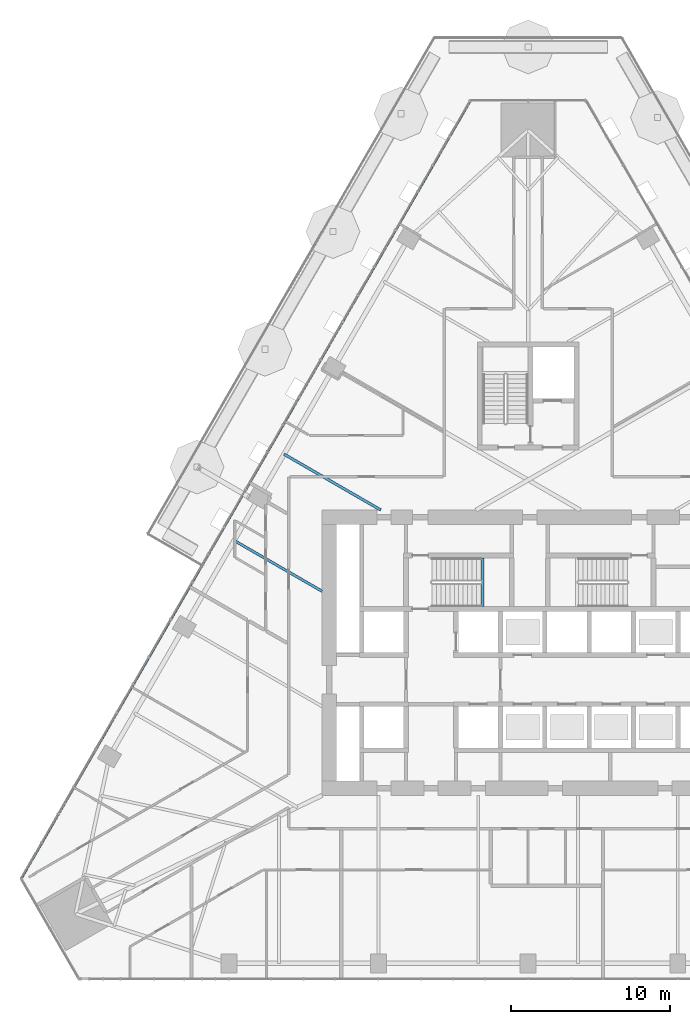
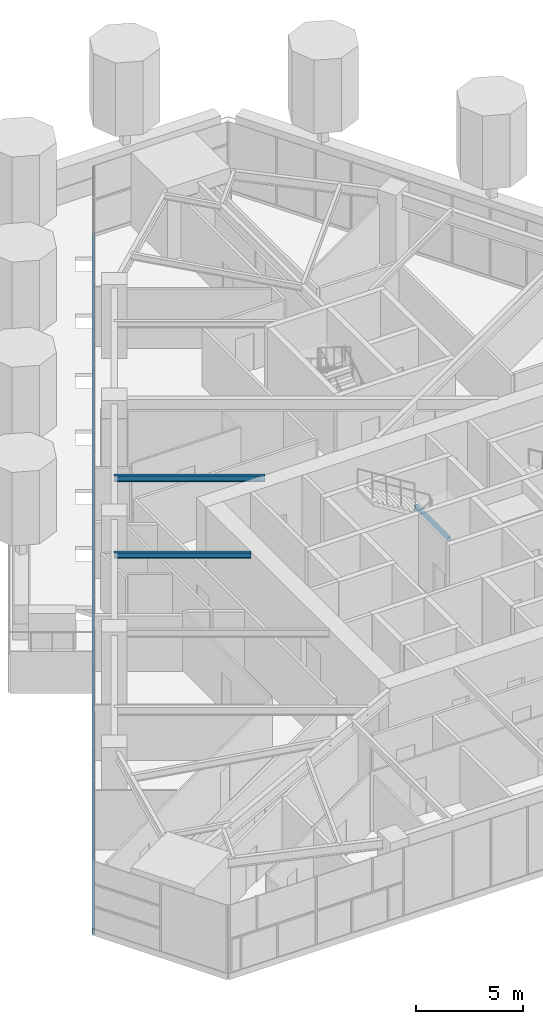
# One storey, part 5 of 25: 3 beams, 1 member, 1 element without a shape of its own.
"""IFC4 building model written with IfcOpenShell, lengths in metres."""

from ifc_helpers import new_model, si_unit, direction, frame, origin, origin_2d, place, context, subcontext, project, spatial, rectangle, i_section, extrude, material, layer, layer_set, material_profile, profile_set, type_object, element, aggregate, save


model = new_model("IFC4")

# Units and contexts
model_context = context("Model", 3, precision=1e-05, world=origin(), true_north=direction((0.0, 1.0)))
body_context = subcontext(model_context, "Body", "Model", "MODEL_VIEW")
ifc_project = project(units=[si_unit("LENGTHUNIT", "METRE"), si_unit("AREAUNIT", "SQUARE_METRE"), si_unit("VOLUMEUNIT", "CUBIC_METRE"), si_unit("PLANEANGLEUNIT", "RADIAN"), si_unit("MASSUNIT", "GRAM", prefix="KILO")], contexts=[model_context])

# Site, building, storey
site_placement = place(None, origin())
site = spatial("IfcSite", under=ifc_project, at=site_placement, CompositionType="ELEMENT")
building_placement = place(site_placement, origin())
building = spatial("IfcBuilding", under=site, at=building_placement, Name="Firuza Gate Tower and Library", CompositionType="ELEMENT")
storey_placement = place(building_placement, frame((0.0, 0.0, 86.199951171875)))
storey = spatial("IfcBuildingStorey", under=building, at=storey_placement, Name="L19", CompositionType="ELEMENT", Elevation=86.199951171875)

# Curtain wall, member
ifc_material_1 = material(Name="Aluminium 6063-T6", Category="aluminium")
ifc_layer = layer(ifc_material_1, 0.14990234375)
ifc_layer_set = layer_set([ifc_layer], Name="Unitised curtain wall, offices")
curtain_wall_type = type_object("IfcCurtainWallType", Name="Unitised curtain wall, offices", PredefinedType="NOTDEFINED", material=ifc_layer_set)
curtain_wall_placement = place(storey_placement, origin())
curtain_wall = element("IfcCurtainWall", 1, at=curtain_wall_placement, inside=storey, type_object=curtain_wall_type, Name="CW1 L19 W face", PredefinedType="NOTDEFINED")
ifc_material_2 = material(Name="Aluminium 6063-T6", Category="aluminium")
ifc_material_profile_1 = material_profile(ifc_material_2, rectangle(XDim=0.14990234375, YDim=0.35009765625, at=origin_2d()))
ifc_profile_set_1 = profile_set([ifc_material_profile_1], Name="Aluminium 6063-T6")
member_type = type_object("IfcMemberType", Name="Curtain wall transom 350x150", PredefinedType="USERDEFINED", material=ifc_profile_set_1)
member_placement = place(storey_placement, frame((71.356689453125, 109.84130859375, -0.02490234375), z_axis=(-0.500000611944, -0.866025050478, 0.0), x_axis=(0.866025050478, -0.500000611944, 0.0)))
member = element("IfcMember", 2, at=member_placement, type_object=member_type, Name="Transom", ObjectType="TRANSOM", PredefinedType="USERDEFINED", context=body_context, shape_type="SweptSolid", body=[
    extrude(rectangle(XDim=0.14990234375, YDim=0.35009765625, at=origin_2d()), origin(), (0.0, 0.0, 1.0), 56.70361328125),
])
aggregate(curtain_wall, [member])

# Beams
ifc_material_3 = material(Name="Concrete C35/45", Category="concrete")
ifc_material_profile_2 = material_profile(ifc_material_3, rectangle(XDim=0.199951171875, YDim=0.199951171875, at=origin_2d()))
ifc_profile_set_2 = profile_set([ifc_material_profile_2], Name="Concrete C35/45")
beam_type_1 = type_object("IfcBeamType", Name="Stair landing bearer 200x200", PredefinedType="BEAM", material=ifc_profile_set_2)
beam_1_placement = place(storey_placement, frame((72.1201171875, 77.89990234375, 1.800048828125), z_axis=(0.0, 1.0, 0.0), x_axis=(-1.0, 0.0, 0.0)))
element("IfcBeam", 3, at=beam_1_placement, inside=storey, type_object=beam_type_1, Name="Landing bearer L19 stair 1", PredefinedType="BEAM", context=body_context, shape_type="SweptSolid", body=[
    extrude(rectangle(XDim=0.199951171875, YDim=0.199951171875, at=origin_2d()), origin(), (0.0, 0.0, 1.0), 3.080078125),
])
ifc_material_4 = material(Name="Steel S355", Category="steel")
ifc_material_profile_3 = material_profile(ifc_material_4, i_section(OverallWidth=0.1650390625, OverallDepth=0.31005859375, WebThickness=0.005859375, FlangeThickness=0.009765625, at=origin_2d()))
ifc_profile_set_3 = profile_set([ifc_material_profile_3], Name="Steel S355")
beam_type_2 = type_object("IfcBeamType", Name="W310x39 Floor beam", PredefinedType="JOIST", material=ifc_profile_set_3)
beam_2_placement = place(storey_placement, frame((56.45263671875, 82.076416015625, 3.844970703125), z_axis=(0.866018023513, -0.500012782786, 0.0), x_axis=(0.500012782786, 0.866018023513, 0.0)))
element("IfcBeam", 4, at=beam_2_placement, inside=storey, type_object=beam_type_2, Name="Floor beam L19 s83", PredefinedType="JOIST", context=body_context, shape_type="SweptSolid", body=[
    extrude(i_section(OverallWidth=0.1650390625, OverallDepth=0.31005859375, WebThickness=0.005859375, FlangeThickness=0.009765625, at=origin_2d()), origin(), (0.0, 0.0, 1.0), 6.405517578125),
])
ifc_material_5 = material(Name="Steel S355", Category="steel")
ifc_material_profile_4 = material_profile(ifc_material_5, i_section(OverallWidth=0.1708984375, OverallDepth=0.35498046875, WebThickness=0.007080078125, FlangeThickness=0.01171875, at=origin_2d()))
ifc_profile_set_4 = profile_set([ifc_material_profile_4], Name="Steel S355")
beam_type_3 = type_object("IfcBeamType", Name="W360x51 Floor beam", PredefinedType="JOIST", material=ifc_profile_set_4)
beam_3_placement = place(storey_placement, frame((59.597900390625, 87.5244140625, 3.822509765625), z_axis=(0.866026395587, -0.499998282143, 0.0), x_axis=(0.499998282143, 0.866026395587, 0.0)))
element("IfcBeam", 5, at=beam_3_placement, inside=storey, type_object=beam_type_3, Name="Floor beam L19 s82", PredefinedType="JOIST", context=body_context, shape_type="SweptSolid", body=[
    extrude(i_section(OverallWidth=0.1708984375, OverallDepth=0.35498046875, WebThickness=0.007080078125, FlangeThickness=0.01171875, at=origin_2d()), origin(), (0.0, 0.0, 1.0), 7.048828125),
])

save(model, "model.ifc")
